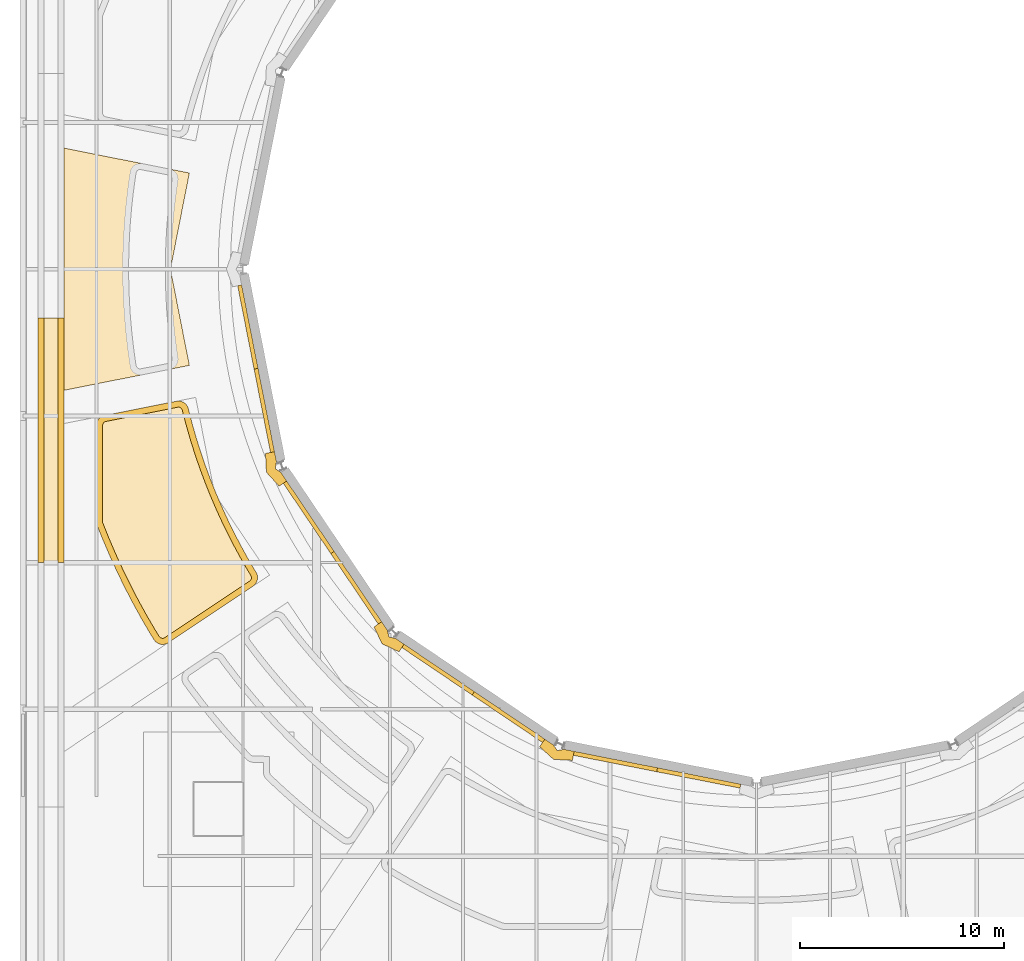
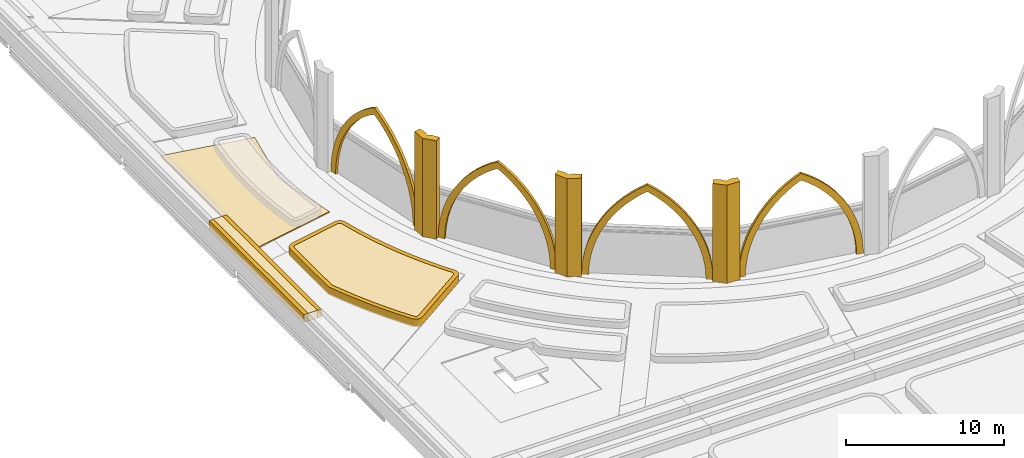
# One storey, part 86 of 110: 13 coverings.
"""IFC4 building model written with IfcOpenShell, lengths in metres."""

from ifc_helpers import new_model, si_unit, direction, frame, origin, place, context, subcontext, project, spatial, polyline, outline, extrude, material, layer, layer_set, type_object, element, save


model = new_model("IFC4")

# Units and contexts
model_context = context("Model", 3, precision=1e-05, world=origin(), true_north=direction((0.0, 1.0)))
body_context = subcontext(model_context, "Body", "Model", "MODEL_VIEW")
ifc_project = project(units=[si_unit("LENGTHUNIT", "METRE"), si_unit("AREAUNIT", "SQUARE_METRE"), si_unit("VOLUMEUNIT", "CUBIC_METRE"), si_unit("PLANEANGLEUNIT", "RADIAN"), si_unit("MASSUNIT", "GRAM", prefix="KILO")], contexts=[model_context])

# Site, building, storey
site_placement = place(None, origin())
site = spatial("IfcSite", under=ifc_project, at=site_placement, CompositionType="ELEMENT")
building_placement = place(site_placement, origin())
building = spatial("IfcBuilding", under=site, at=building_placement, Name="Kupolbacken Congress Centre", CompositionType="ELEMENT")
storey_placement = place(building_placement, frame((0.0, 0.0, 18.0)))
storey = spatial("IfcBuildingStorey", under=building, at=storey_placement, Name="L05", CompositionType="ELEMENT", Elevation=18.0)

# Coverings
ifc_material_1 = material(Name="Limestone cladding", Category="masonry")
ifc_layer_1 = layer(ifc_material_1, 0.60009765625)
ifc_layer_set_1 = layer_set([ifc_layer_1], Name="Limestone cladding")
covering_type_1 = type_object("IfcCoveringType", Name="CV5 limestone arcade pier 600", PredefinedType="CLADDING", material=ifc_layer_set_1)
covering_1_placement = place(storey_placement, origin())
element("IfcCovering", 1, at=covering_1_placement, inside=storey, type_object=covering_type_1, Name="Bed kerb, plenary wing roof", PredefinedType="CLADDING", context=body_context, shape_type="SweptSolid", body=[
    extrude(outline(polyline([(9.202392578125, 72.0), (8.902587890625, 72.0), (8.902587890625, 84.0), (9.202392578125, 84.0), (9.202392578125, 72.0)])), origin(), (0.0, 0.0, 1.0), 0.60009765625),
])
covering_2_placement = place(storey_placement, origin())
element("IfcCovering", 2, at=covering_2_placement, inside=storey, type_object=covering_type_1, Name="Bed kerb, plenary wing roof", PredefinedType="CLADDING", context=body_context, shape_type="SweptSolid", body=[
    extrude(outline(polyline([(7.929931640625, 84.0), (8.22998046875, 84.0), (8.22998046875, 72.0), (7.929931640625, 72.0), (7.929931640625, 84.0)])), origin(), (0.0, 0.0, 1.0), 0.60009765625),
])
covering_3_placement = place(storey_placement, origin())
element("IfcCovering", 3, at=covering_3_placement, inside=storey, type_object=covering_type_1, Name="Bed kerb, plenary wing roof", PredefinedType="CLADDING", context=body_context, shape_type="SweptSolid", body=[
    extrude(outline(polyline([(10.82275390625, 73.87060546875), (10.8115234375, 73.916748046875), (10.8046875, 73.9638671875), (10.802490234375, 74.01123046875), (10.802490234375, 78.73046875), (10.804931640625, 78.779541015625), (10.81201171875, 78.827880859375), (10.823974609375, 78.87548828125), (10.840576171875, 78.921875), (10.861572265625, 78.966064453125), (10.88671875, 79.00830078125), (10.916015625, 79.047607421875), (10.948974609375, 79.083984375), (10.9853515625, 79.116943359375), (11.024658203125, 79.146240234375), (11.06689453125, 79.17138671875), (11.111083984375, 79.1923828125), (11.157470703125, 79.208984375), (11.205078125, 79.220703125), (14.727294921875, 79.92138671875), (14.774658203125, 79.928466796875), (14.822509765625, 79.930908203125), (14.870361328125, 79.928955078125), (14.917724609375, 79.92236328125), (14.96435546875, 79.9111328125), (15.009765625, 79.8955078125), (15.05322265625, 79.875732421875), (15.094970703125, 79.851806640625), (15.1337890625, 79.823974609375), (15.170166015625, 79.79248046875), (15.203125, 79.7578125), (15.232666015625, 79.72021484375), (15.258544921875, 79.6796875), (15.2802734375, 79.63720703125), (15.298095703125, 79.592529296875), (15.311279296875, 79.54638671875), (15.340087890625, 79.424560546875), (15.341796875, 79.418701171875), (15.519775390625, 78.742919921875), (15.521484375, 78.737060546875), (15.716064453125, 78.06591796875), (15.7177734375, 78.060302734375), (15.9287109375, 77.39404296875), (15.9306640625, 77.38818359375), (16.157958984375, 76.7275390625), (16.16015625, 76.7216796875), (16.403564453125, 76.06689453125), (16.40576171875, 76.06103515625), (16.665283203125, 75.412353515625), (16.66748046875, 75.406494140625), (16.94287109375, 74.764404296875), (16.9453125, 74.7587890625), (17.236328125, 74.12353515625), (17.239013671875, 74.117919921875), (17.54541015625, 73.489990234375), (17.548095703125, 73.484619140625), (17.8701171875, 72.8642578125), (17.872802734375, 72.85888671875), (18.209716796875, 72.246826171875), (18.212890625, 72.241455078125), (18.564697265625, 71.6376953125), (18.56787109375, 71.632568359375), (18.6328125, 71.52685546875), (18.656005859375, 71.48486328125), (18.675048828125, 71.44091796875), (18.689697265625, 71.3955078125), (18.7001953125, 71.3486328125), (18.705810546875, 71.301025390625), (18.70703125, 71.253173828125), (18.70361328125, 71.205322265625), (18.69580078125, 71.157958984375), (18.683349609375, 71.11181640625), (18.66650390625, 71.06689453125), (18.6455078125, 71.023681640625), (18.620361328125, 70.98291015625), (18.591552734375, 70.944580078125), (18.55908203125, 70.909423828125), (18.5234375, 70.87744140625), (18.485107421875, 70.848876953125), (14.3251953125, 68.069580078125), (14.281982421875, 68.043701171875), (14.236572265625, 68.0224609375), (14.189208984375, 68.005615234375), (14.140380859375, 67.993896484375), (14.090576171875, 67.987060546875), (14.040283203125, 67.985107421875), (13.990234375, 67.988525390625), (13.94091796875, 67.99658203125), (13.892333984375, 68.009765625), (13.845458984375, 68.02783203125), (13.800537109375, 68.05029296875), (13.75830078125, 68.077392578125), (13.71875, 68.1083984375), (13.6826171875, 68.143310546875), (13.650146484375, 68.181396484375), (13.62158203125, 68.222900390625), (13.423095703125, 68.545166015625), (13.416748046875, 68.555908203125), (12.993896484375, 69.281494140625), (12.98779296875, 69.2919921875), (12.582763671875, 70.02783203125), (12.576904296875, 70.03857421875), (12.190185546875, 70.7841796875), (12.184814453125, 70.795166015625), (11.81640625, 71.5498046875), (11.81103515625, 71.56103515625), (11.46142578125, 72.324462890625), (11.456298828125, 72.335693359375), (11.12548828125, 73.107666015625), (11.120849609375, 73.118896484375), (10.838134765625, 73.82568359375), (10.82275390625, 73.87060546875)]), holes=[polyline([(11.398681640625, 73.232177734375), (11.402099609375, 73.22412109375), (11.7314453125, 72.45556640625), (11.73486328125, 72.44775390625), (12.0830078125, 71.6875), (12.0869140625, 71.6796875), (12.45361328125, 70.92822265625), (12.45751953125, 70.920654296875), (12.842529296875, 70.178466796875), (12.846435546875, 70.1708984375), (13.249755859375, 69.438232421875), (13.25390625, 69.430908203125), (13.675048828125, 68.70849609375), (13.679443359375, 68.700927734375), (13.873046875, 68.38671875), (13.888916015625, 68.364013671875), (13.901611328125, 68.3486328125), (13.916015625, 68.334716796875), (13.931884765625, 68.322265625), (13.94873046875, 68.3115234375), (13.966796875, 68.302490234375), (13.985595703125, 68.29541015625), (14.0048828125, 68.290283203125), (14.024658203125, 68.286865234375), (14.044677734375, 68.28564453125), (14.064697265625, 68.286376953125), (14.08447265625, 68.2890625), (14.10400390625, 68.293701171875), (14.122802734375, 68.30029296875), (14.14111328125, 68.308837890625), (14.164794921875, 68.322998046875), (18.312255859375, 71.09423828125), (18.33349609375, 71.110107421875), (18.34765625, 71.122802734375), (18.360595703125, 71.136962890625), (18.372314453125, 71.152099609375), (18.382080078125, 71.16845703125), (18.390625, 71.185546875), (18.397216796875, 71.20361328125), (18.40234375, 71.221923828125), (18.405517578125, 71.240966796875), (18.40673828125, 71.260009765625), (18.40625, 71.279052734375), (18.404052734375, 71.298095703125), (18.39990234375, 71.31689453125), (18.39404296875, 71.3349609375), (18.386474609375, 71.3525390625), (18.373779296875, 71.37548828125), (18.311279296875, 71.476806640625), (18.306396484375, 71.485107421875), (17.95263671875, 72.091796875), (17.947998046875, 72.1005859375), (17.609130859375, 72.7158203125), (17.6044921875, 72.724609375), (17.281005859375, 73.347900390625), (17.276611328125, 73.356689453125), (16.968505859375, 73.988037109375), (16.96435546875, 73.996826171875), (16.671875, 74.635498046875), (16.66796875, 74.64453125), (16.39111328125, 75.2900390625), (16.387451171875, 75.29931640625), (16.12646484375, 75.951416015625), (16.123046875, 75.96044921875), (15.87841796875, 76.618896484375), (15.875, 76.628173828125), (15.646484375, 77.29248046875), (15.643310546875, 77.3017578125), (15.43115234375, 77.97119140625), (15.428466796875, 77.980712890625), (15.23291015625, 78.6552734375), (15.22998046875, 78.664794921875), (15.051025390625, 79.343994140625), (15.048583984375, 79.353515625), (15.02099609375, 79.47021484375), (15.013671875, 79.49560546875), (15.006591796875, 79.51318359375), (14.998046875, 79.5302734375), (14.98779296875, 79.54638671875), (14.975830078125, 79.5615234375), (14.962646484375, 79.575439453125), (14.9482421875, 79.587890625), (14.9326171875, 79.59912109375), (14.916015625, 79.608642578125), (14.898681640625, 79.616455078125), (14.880615234375, 79.622802734375), (14.86181640625, 79.627197265625), (14.843017578125, 79.6298828125), (14.823974609375, 79.630615234375), (14.8046875, 79.629638671875), (14.77880859375, 79.625732421875), (11.270751953125, 78.927978515625), (11.24462890625, 78.92138671875), (11.22607421875, 78.914794921875), (11.20849609375, 78.906494140625), (11.191650390625, 78.896484375), (11.17578125, 78.884765625), (11.161376953125, 78.87158203125), (11.148193359375, 78.857177734375), (11.136474609375, 78.84130859375), (11.12646484375, 78.82470703125), (11.1181640625, 78.806884765625), (11.111572265625, 78.788330078125), (11.106689453125, 78.769287109375), (11.103759765625, 78.75), (11.1025390625, 78.72314453125), (11.1025390625, 74.018310546875), (11.103759765625, 73.9921875), (11.1064453125, 73.973388671875), (11.11083984375, 73.955078125), (11.119384765625, 73.930419921875), (11.398681640625, 73.232177734375)])]), origin(), (0.0, 0.0, 1.0), 0.60009765625),
])
ifc_material_2 = material(Name="Limestone cladding", Category="masonry")
ifc_layer_2 = layer(ifc_material_2, 0.5)
ifc_layer_set_2 = layer_set([ifc_layer_2], Name="Limestone cladding")
covering_type_2 = type_object("IfcCoveringType", Name="CV8 limestone drum pier 500", PredefinedType="CLADDING", material=ifc_layer_set_2)
covering_4_placement = place(storey_placement, origin())
element("IfcCovering", 4, at=covering_4_placement, inside=storey, type_object=covering_type_2, Name="F/drum/pier-lo/01/0", PredefinedType="CLADDING", context=body_context, shape_type="SweptSolid", body=[
    extrude(outline(polyline([(24.425048828125, 68.846923828125), (24.818603515625, 68.0185546875), (25.64697265625, 67.625), (25.898681640625, 67.998046875), (25.484130859375, 68.27783203125), (25.15087890625, 68.350830078125), (25.077880859375, 68.68408203125), (24.798095703125, 69.0986328125), (24.425048828125, 68.846923828125)])), origin(), (0.0, 0.0, 1.0), 7.60009765625),
])
covering_5_placement = place(storey_placement, origin())
element("IfcCovering", 5, at=covering_5_placement, inside=storey, type_object=covering_type_2, Name="F/drum/pier-lo/02/0", PredefinedType="CLADDING", context=body_context, shape_type="SweptSolid", body=[
    extrude(outline(polyline([(32.553466796875, 62.964111328125), (33.236083984375, 62.342041015625), (34.156494140625, 62.2978515625), (34.243408203125, 62.7392578125), (33.752685546875, 62.8359375), (33.416015625, 62.776123046875), (33.2197265625, 63.057373046875), (32.80517578125, 63.337158203125), (32.553466796875, 62.964111328125)])), origin(), (0.0, 0.0, 1.0), 7.60009765625),
])
covering_6_placement = place(storey_placement, origin())
element("IfcCovering", 6, at=covering_6_placement, inside=storey, type_object=covering_type_2, Name="F/drum/pier-lo/16/0", PredefinedType="CLADDING", context=body_context, shape_type="SweptSolid", body=[
    extrude(outline(polyline([(19.09765625, 77.3564453125), (19.14208984375, 76.43603515625), (19.76416015625, 75.75341796875), (20.13720703125, 76.00537109375), (19.857421875, 76.419677734375), (19.576171875, 76.615966796875), (19.6357421875, 76.952880859375), (19.539306640625, 77.443359375), (19.09765625, 77.3564453125)])), origin(), (0.0, 0.0, 1.0), 7.60009765625),
])
ifc_material_3 = material(Name="Limestone cladding", Category="masonry")
ifc_layer_3 = layer(ifc_material_3, 0.199951171875)
ifc_layer_set_3 = layer_set([ifc_layer_3], Name="Limestone cladding")
covering_type_3 = type_object("IfcCoveringType", Name="CV9 limestone drum arch frame 200", PredefinedType="CLADDING", material=ifc_layer_set_3)
covering_7_placement = place(storey_placement, frame((20.13720703125, 76.00537109375, 0.0), z_axis=(-0.828907623157, -0.559385513106, 0.0), x_axis=(0.559385513106, -0.828907623157, 0.0)))
element("IfcCovering", 7, at=covering_7_placement, inside=storey, type_object=covering_type_3, Name="F/drum/arch/wall/01", PredefinedType="CLADDING", context=body_context, shape_type="SweptSolid", body=[
    extrude(outline(polyline([(0.0, 0.0), (0.0234375, 0.615966796875), (0.09326171875, 1.228271484375), (0.20947265625, 1.833740234375), (0.37109375, 2.428466796875), (0.5771484375, 3.009521484375), (0.826904296875, 3.572998046875), (1.118408203125, 4.115966796875), (1.4501953125, 4.635498046875), (1.820556640625, 5.128173828125), (2.22705078125, 5.591552734375), (2.66748046875, 6.022705078125), (3.139404296875, 6.41943359375), (3.639892578125, 6.779296875), (4.166015625, 7.10009765625), (4.6923828125, 6.779296875), (5.19287109375, 6.41943359375), (5.664794921875, 6.022705078125), (6.105224609375, 5.591552734375), (6.51171875, 5.128173828125), (6.8818359375, 4.635498046875), (7.2138671875, 4.115966796875), (7.50537109375, 3.572998046875), (7.7548828125, 3.009521484375), (7.961181640625, 2.428466796875), (8.122802734375, 1.833740234375), (8.239013671875, 1.228271484375), (8.308837890625, 0.615966796875), (8.332275390625, 0.0), (7.882080078125, 0.0), (7.861572265625, 0.563720703125), (7.799560546875, 1.12451171875), (7.696533203125, 1.67919921875), (7.552978515625, 2.224853515625), (7.3701171875, 2.758544921875), (7.148193359375, 3.277099609375), (6.888916015625, 3.7783203125), (6.59375, 4.259033203125), (6.263916015625, 4.716796875), (5.901611328125, 5.149169921875), (5.50830078125, 5.5537109375), (5.08642578125, 5.92822265625), (4.63818359375, 6.27099609375), (4.166015625, 6.57958984375), (3.694091796875, 6.27099609375), (3.245849609375, 5.92822265625), (2.823974609375, 5.5537109375), (2.4306640625, 5.149169921875), (2.068359375, 4.716796875), (1.738525390625, 4.259033203125), (1.443115234375, 3.7783203125), (1.18408203125, 3.277099609375), (0.96240234375, 2.758544921875), (0.779296875, 2.224853515625), (0.6357421875, 1.67919921875), (0.53271484375, 1.12451171875), (0.470703125, 0.563720703125), (0.449951171875, 0.0), (0.0, 0.0)])), origin(), (0.0, 0.0, 1.0), 0.199951171875),
])
covering_8_placement = place(storey_placement, frame((25.898681640625, 67.998046875, 0.0), z_axis=(-0.559385513106, -0.828907623157, 0.0), x_axis=(0.828907623157, -0.559385513106, 0.0)))
element("IfcCovering", 8, at=covering_8_placement, inside=storey, type_object=covering_type_3, Name="F/drum/arch/wall/02", PredefinedType="CLADDING", context=body_context, shape_type="SweptSolid", body=[
    extrude(outline(polyline([(0.0, 0.0), (0.0234375, 0.615966796875), (0.09326171875, 1.228271484375), (0.20947265625, 1.833740234375), (0.37109375, 2.428466796875), (0.5771484375, 3.009521484375), (0.826904296875, 3.572998046875), (1.118408203125, 4.115966796875), (1.4501953125, 4.635498046875), (1.820556640625, 5.128173828125), (2.22705078125, 5.591552734375), (2.66748046875, 6.022705078125), (3.139404296875, 6.41943359375), (3.639892578125, 6.779296875), (4.166015625, 7.10009765625), (4.6923828125, 6.779296875), (5.19287109375, 6.41943359375), (5.664794921875, 6.022705078125), (6.105224609375, 5.591552734375), (6.51171875, 5.128173828125), (6.8818359375, 4.635498046875), (7.2138671875, 4.115966796875), (7.50537109375, 3.572998046875), (7.7548828125, 3.009521484375), (7.961181640625, 2.428466796875), (8.122802734375, 1.833740234375), (8.239013671875, 1.228271484375), (8.308837890625, 0.615966796875), (8.332275390625, 0.0), (7.882080078125, 0.0), (7.861572265625, 0.563720703125), (7.799560546875, 1.12451171875), (7.696533203125, 1.67919921875), (7.552978515625, 2.224853515625), (7.3701171875, 2.758544921875), (7.148193359375, 3.277099609375), (6.888916015625, 3.7783203125), (6.59375, 4.259033203125), (6.263916015625, 4.716796875), (5.901611328125, 5.149169921875), (5.50830078125, 5.5537109375), (5.08642578125, 5.92822265625), (4.63818359375, 6.27099609375), (4.166015625, 6.57958984375), (3.694091796875, 6.27099609375), (3.245849609375, 5.92822265625), (2.823974609375, 5.5537109375), (2.4306640625, 5.149169921875), (2.068359375, 4.716796875), (1.738525390625, 4.259033203125), (1.443115234375, 3.7783203125), (1.18408203125, 3.277099609375), (0.96240234375, 2.758544921875), (0.779296875, 2.224853515625), (0.6357421875, 1.67919921875), (0.53271484375, 1.12451171875), (0.470703125, 0.563720703125), (0.449951171875, 0.0), (0.0, 0.0)])), origin(), (0.0, 0.0, 1.0), 0.199951171875),
])
covering_9_placement = place(storey_placement, frame((34.243408203125, 62.7392578125, 0.0), z_axis=(-0.193182328084, -0.981162875427, 0.0), x_axis=(0.981162875427, -0.193182328084, 0.0)))
element("IfcCovering", 9, at=covering_9_placement, inside=storey, type_object=covering_type_3, Name="F/drum/arch/wall/03", PredefinedType="CLADDING", context=body_context, shape_type="SweptSolid", body=[
    extrude(outline(polyline([(0.0, 0.0), (0.0234375, 0.615966796875), (0.09326171875, 1.228515625), (0.20947265625, 1.833984375), (0.37109375, 2.4287109375), (0.577392578125, 3.009765625), (0.8271484375, 3.5732421875), (1.118896484375, 4.116455078125), (1.450927734375, 4.6357421875), (1.8212890625, 5.128662109375), (2.227783203125, 5.591796875), (2.66845703125, 6.023193359375), (3.140380859375, 6.419677734375), (3.64111328125, 6.779296875), (4.16748046875, 7.10009765625), (4.694091796875, 6.779296875), (5.19482421875, 6.419677734375), (5.666748046875, 6.023193359375), (6.107421875, 5.591796875), (6.513916015625, 5.128662109375), (6.884521484375, 4.6357421875), (7.21630859375, 4.116455078125), (7.508056640625, 3.5732421875), (7.7578125, 3.009765625), (7.964111328125, 2.4287109375), (8.125732421875, 1.833984375), (8.241943359375, 1.228515625), (8.31201171875, 0.615966796875), (8.335205078125, 0.0), (7.88525390625, 0.0), (7.864501953125, 0.56396484375), (7.802490234375, 1.124755859375), (7.699462890625, 1.679443359375), (7.555908203125, 2.22509765625), (7.372802734375, 2.7587890625), (7.15087890625, 3.277587890625), (6.8916015625, 3.77880859375), (6.59619140625, 4.259521484375), (6.266357421875, 4.71728515625), (5.90380859375, 5.1494140625), (5.51025390625, 5.553955078125), (5.08837890625, 5.928466796875), (4.639892578125, 6.27099609375), (4.16748046875, 6.579833984375), (3.6953125, 6.27099609375), (3.2470703125, 5.928466796875), (2.824951171875, 5.553955078125), (2.431640625, 5.1494140625), (2.069091796875, 4.71728515625), (1.739013671875, 4.259521484375), (1.443603515625, 3.77880859375), (1.184326171875, 3.277587890625), (0.96240234375, 2.7587890625), (0.779296875, 2.22509765625), (0.6357421875, 1.679443359375), (0.53271484375, 1.124755859375), (0.470703125, 0.56396484375), (0.449951171875, 0.0), (0.0, 0.0)])), origin(), (0.0, 0.0, 1.0), 0.199951171875),
])
covering_10_placement = place(storey_placement, frame((17.928955078125, 85.62158203125, 0.0), z_axis=(-0.981162875427, -0.193182328084, 0.0), x_axis=(0.193182328084, -0.981162875427, 0.0)))
element("IfcCovering", 10, at=covering_10_placement, inside=storey, type_object=covering_type_3, Name="F/drum/arch/wall/16", PredefinedType="CLADDING", context=body_context, shape_type="SweptSolid", body=[
    extrude(outline(polyline([(0.0, 0.0), (0.0234375, 0.615966796875), (0.09326171875, 1.228515625), (0.20947265625, 1.833984375), (0.37109375, 2.4287109375), (0.577392578125, 3.009765625), (0.8271484375, 3.5732421875), (1.118896484375, 4.116455078125), (1.450927734375, 4.6357421875), (1.8212890625, 5.128662109375), (2.227783203125, 5.591796875), (2.66845703125, 6.023193359375), (3.140380859375, 6.419677734375), (3.64111328125, 6.779296875), (4.16748046875, 7.10009765625), (4.694091796875, 6.779296875), (5.19482421875, 6.419677734375), (5.666748046875, 6.023193359375), (6.107421875, 5.591796875), (6.513916015625, 5.128662109375), (6.884521484375, 4.6357421875), (7.21630859375, 4.116455078125), (7.508056640625, 3.5732421875), (7.7578125, 3.009765625), (7.964111328125, 2.4287109375), (8.125732421875, 1.833984375), (8.241943359375, 1.228515625), (8.31201171875, 0.615966796875), (8.335205078125, 0.0), (7.88525390625, 0.0), (7.864501953125, 0.56396484375), (7.802490234375, 1.124755859375), (7.699462890625, 1.679443359375), (7.555908203125, 2.22509765625), (7.372802734375, 2.7587890625), (7.15087890625, 3.277587890625), (6.8916015625, 3.77880859375), (6.59619140625, 4.259521484375), (6.266357421875, 4.71728515625), (5.90380859375, 5.1494140625), (5.51025390625, 5.553955078125), (5.08837890625, 5.928466796875), (4.639892578125, 6.27099609375), (4.16748046875, 6.579833984375), (3.6953125, 6.27099609375), (3.2470703125, 5.928466796875), (2.824951171875, 5.553955078125), (2.431640625, 5.1494140625), (2.069091796875, 4.71728515625), (1.739013671875, 4.259521484375), (1.443603515625, 3.77880859375), (1.184326171875, 3.277587890625), (0.96240234375, 2.7587890625), (0.779296875, 2.22509765625), (0.6357421875, 1.679443359375), (0.53271484375, 1.124755859375), (0.470703125, 0.56396484375), (0.449951171875, 0.0), (0.0, 0.0)])), origin(), (0.0, 0.0, 1.0), 0.199951171875),
])
ifc_material_4 = material(Name="Grass", Category="soil")
ifc_layer_4 = layer(ifc_material_4, 0.10009765625)
ifc_layer_set_4 = layer_set([ifc_layer_4], Name="Grass")
covering_type_4 = type_object("IfcCoveringType", Name="GR2 grass surface 100", PredefinedType="FLOORING", material=ifc_layer_set_4)
covering_11_placement = place(storey_placement, origin())
element("IfcCovering", 11, at=covering_11_placement, inside=storey, type_object=covering_type_4, Name="Green roof, plenary wing roof", PredefinedType="FLOORING", context=body_context, shape_type="SweptSolid", body=[
    extrude(outline(polyline([(9.200439453125, 80.45361328125), (9.200439453125, 92.346435546875), (15.36181640625, 91.12109375), (14.432373046875, 86.39990234375), (15.36181640625, 81.678955078125), (9.200439453125, 80.45361328125)])), origin(), (0.0, 0.0, 1.0), 0.10009765625),
])
ifc_material_5 = material(Name="Planting substrate", Category="soil")
ifc_layer_5 = layer(ifc_material_5, 0.60009765625)
ifc_layer_set_5 = layer_set([ifc_layer_5], Name="Planting substrate")
covering_type_5 = type_object("IfcCoveringType", Name="GR8 planting substrate 600", PredefinedType="FLOORING", material=ifc_layer_set_5)
covering_12_placement = place(storey_placement, origin())
element("IfcCovering", 12, at=covering_12_placement, inside=storey, type_object=covering_type_5, Name="Planting bed, plenary wing roof", PredefinedType="FLOORING", context=body_context, shape_type="SweptSolid", body=[
    extrude(outline(polyline([(8.22998046875, 84.0), (8.902587890625, 84.0), (8.902587890625, 72.0), (8.22998046875, 72.0), (8.22998046875, 84.0)])), origin(), (0.0, 0.0, 1.0), 0.60009765625),
])
covering_13_placement = place(storey_placement, origin())
element("IfcCovering", 13, at=covering_13_placement, inside=storey, type_object=covering_type_5, Name="Planting bed, plenary wing roof", PredefinedType="FLOORING", context=body_context, shape_type="SweptSolid", body=[
    extrude(outline(polyline([(11.119384765625, 73.930419921875), (11.11083984375, 73.955078125), (11.1064453125, 73.973388671875), (11.103759765625, 73.9921875), (11.1025390625, 74.018310546875), (11.1025390625, 78.72314453125), (11.103759765625, 78.75), (11.106689453125, 78.769287109375), (11.111572265625, 78.788330078125), (11.1181640625, 78.806884765625), (11.12646484375, 78.82470703125), (11.136474609375, 78.84130859375), (11.148193359375, 78.857177734375), (11.161376953125, 78.87158203125), (11.17578125, 78.884765625), (11.191650390625, 78.896484375), (11.20849609375, 78.906494140625), (11.22607421875, 78.914794921875), (11.24462890625, 78.92138671875), (11.270751953125, 78.927978515625), (14.77880859375, 79.625732421875), (14.8046875, 79.629638671875), (14.823974609375, 79.630615234375), (14.843017578125, 79.6298828125), (14.86181640625, 79.627197265625), (14.880615234375, 79.622802734375), (14.898681640625, 79.616455078125), (14.916015625, 79.608642578125), (14.9326171875, 79.59912109375), (14.9482421875, 79.587890625), (14.962646484375, 79.575439453125), (14.975830078125, 79.5615234375), (14.98779296875, 79.54638671875), (14.998046875, 79.5302734375), (15.006591796875, 79.51318359375), (15.013671875, 79.49560546875), (15.02099609375, 79.47021484375), (15.048583984375, 79.353515625), (15.051025390625, 79.343994140625), (15.22998046875, 78.664794921875), (15.23291015625, 78.6552734375), (15.428466796875, 77.980712890625), (15.43115234375, 77.97119140625), (15.643310546875, 77.3017578125), (15.646484375, 77.29248046875), (15.875, 76.628173828125), (15.87841796875, 76.618896484375), (16.123046875, 75.96044921875), (16.12646484375, 75.951416015625), (16.387451171875, 75.29931640625), (16.39111328125, 75.2900390625), (16.66796875, 74.64453125), (16.671875, 74.635498046875), (16.96435546875, 73.996826171875), (16.968505859375, 73.988037109375), (17.276611328125, 73.356689453125), (17.281005859375, 73.347900390625), (17.6044921875, 72.724609375), (17.609130859375, 72.7158203125), (17.947998046875, 72.1005859375), (17.95263671875, 72.091796875), (18.306396484375, 71.485107421875), (18.311279296875, 71.476806640625), (18.373779296875, 71.37548828125), (18.386474609375, 71.3525390625), (18.39404296875, 71.3349609375), (18.39990234375, 71.31689453125), (18.404052734375, 71.298095703125), (18.40625, 71.279052734375), (18.40673828125, 71.260009765625), (18.405517578125, 71.240966796875), (18.40234375, 71.221923828125), (18.397216796875, 71.20361328125), (18.390625, 71.185546875), (18.382080078125, 71.16845703125), (18.372314453125, 71.152099609375), (18.360595703125, 71.136962890625), (18.34765625, 71.122802734375), (18.33349609375, 71.110107421875), (18.312255859375, 71.09423828125), (14.164794921875, 68.322998046875), (14.14111328125, 68.308837890625), (14.122802734375, 68.30029296875), (14.10400390625, 68.293701171875), (14.08447265625, 68.2890625), (14.064697265625, 68.286376953125), (14.044677734375, 68.28564453125), (14.024658203125, 68.286865234375), (14.0048828125, 68.290283203125), (13.985595703125, 68.29541015625), (13.966796875, 68.302490234375), (13.94873046875, 68.3115234375), (13.931884765625, 68.322265625), (13.916015625, 68.334716796875), (13.901611328125, 68.3486328125), (13.888916015625, 68.364013671875), (13.873046875, 68.38671875), (13.679443359375, 68.700927734375), (13.675048828125, 68.70849609375), (13.25390625, 69.430908203125), (13.249755859375, 69.438232421875), (12.846435546875, 70.1708984375), (12.842529296875, 70.178466796875), (12.45751953125, 70.920654296875), (12.45361328125, 70.92822265625), (12.0869140625, 71.6796875), (12.0830078125, 71.6875), (11.73486328125, 72.44775390625), (11.7314453125, 72.45556640625), (11.402099609375, 73.22412109375), (11.398681640625, 73.232177734375), (11.119384765625, 73.930419921875)])), origin(), (0.0, 0.0, 1.0), 0.60009765625),
])

save(model, "model.ifc")
